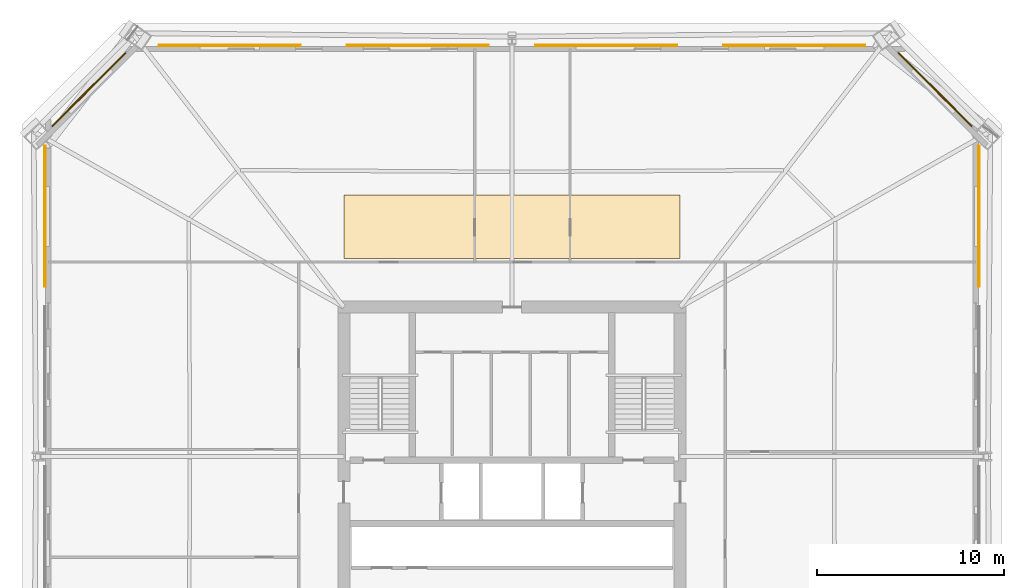
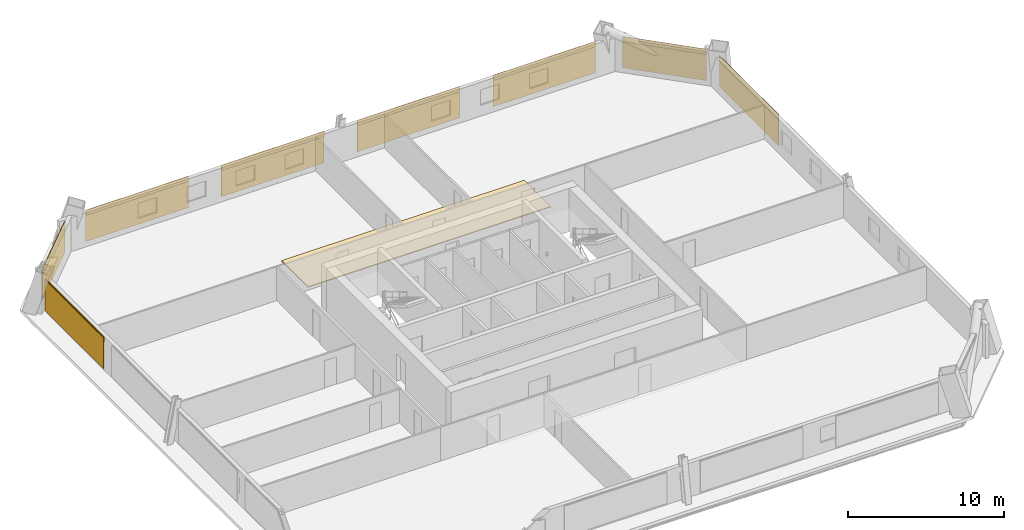
# One storey, part 10 of 10: 9 coverings, 8 shading devices.
"""IFC4 building model written with IfcOpenShell, lengths in metres."""

from ifc_helpers import new_model, si_unit, direction, frame, origin, origin_2d, place, context, subcontext, project, spatial, polyline, rectangle, outline, extrude, material, layer, layer_set, type_object, element, save


model = new_model("IFC4")

# Units and contexts
model_context = context("Model", 3, precision=1e-05, world=origin(), true_north=direction((0.0, 1.0)))
body_context = subcontext(model_context, "Body", "Model", "MODEL_VIEW")
ifc_project = project(units=[si_unit("LENGTHUNIT", "METRE"), si_unit("AREAUNIT", "SQUARE_METRE"), si_unit("VOLUMEUNIT", "CUBIC_METRE"), si_unit("PLANEANGLEUNIT", "RADIAN"), si_unit("MASSUNIT", "GRAM", prefix="KILO")], contexts=[model_context])

# Site, building, storey
site_placement = place(None, origin())
site = spatial("IfcSite", under=ifc_project, at=site_placement, CompositionType="ELEMENT")
building_placement = place(site_placement, origin())
building = spatial("IfcBuilding", under=site, at=building_placement, Name="Caelvoria Tower", CompositionType="ELEMENT")
storey_placement = place(building_placement, frame((0.0, 0.0, 78.39990234375)))
storey = spatial("IfcBuildingStorey", under=building, at=storey_placement, Name="L20", CompositionType="ELEMENT", Elevation=78.39990234375)

# Coverings
ifc_material_1 = material(Name="Perforated Architectural Bronze Cladding Screen", Category="bronze")
ifc_layer_1 = layer(ifc_material_1, 0.0400390625, Name="Perforated Architectural Bronze Cladding Screen")
ifc_layer_set_1 = layer_set([ifc_layer_1], Name="Perforated Bronze Louvre Cladding Band 40 - Perforated Architectural Bronze Cladding Screen")
covering_type_1 = type_object("IfcCoveringType", Name="Perforated Bronze Louvre Cladding Band 40", PredefinedType="CLADDING", material=ifc_layer_set_1)
covering_1_placement = place(storey_placement, frame((70.971923828125, 44.85498046875, 2.2421875), z_axis=(0.0, 0.0, 1.0), x_axis=(0.0, 1.0, 0.0)))
element("IfcCovering", 1, at=covering_1_placement, inside=storey, type_object=covering_type_1, Name="Perforated Bronze Screen Band L20-E2-03", PredefinedType="CLADDING", context=body_context, shape_type="SweptSolid", body=[
    extrude(rectangle(XDim=7.54150390625, YDim=0.0400390625, at=origin_2d()), origin(), (0.0, 0.0, 1.0), 0.39990234375),
])
covering_2_placement = place(storey_placement, frame((68.631591796875, 51.631591796875, 2.2421875), z_axis=(0.0, 0.0, 1.0), x_axis=(-0.707106781187, 0.707106781187, 0.0)))
element("IfcCovering", 2, at=covering_2_placement, inside=storey, type_object=covering_type_1, Name="Perforated Bronze Screen Band L20-E3-00", PredefinedType="CLADDING", context=body_context, shape_type="SweptSolid", body=[
    extrude(rectangle(XDim=5.55859375, YDim=0.0400390625, at=origin_2d()), origin(), (0.0, 0.0, 1.0), 0.39990234375),
])
for number, where, z_axis, x_axis, name in (
    (3, (61.10498046875, 53.971923828125, 2.2421875), (0.0, 0.0, 1.0), (-1.0, 0.0, 0.0), "Perforated Bronze Screen Band L20-E4-00"),
    (4, (51.034912109375, 53.971923828125, 2.2421875), (0.0, 0.0, 1.0), (-1.0, 0.0, 0.0), "Perforated Bronze Screen Band L20-E4-01"),
    (5, (40.965087890625, 53.971923828125, 2.2421875), (0.0, 0.0, 1.0), (-1.0, 0.0, 0.0), "Perforated Bronze Screen Band L20-E4-02"),
    (6, (30.89501953125, 53.971923828125, 2.2421875), (0.0, 0.0, 1.0), (-1.0, 0.0, 0.0), "Perforated Bronze Screen Band L20-E4-03"),
):
    element("IfcCovering", number, at=place(storey_placement, frame(where, z_axis=z_axis, x_axis=x_axis)), inside=storey, type_object=covering_type_1, Name=name, PredefinedType="CLADDING", context=body_context, shape_type="SweptSolid", body=[
        extrude(rectangle(XDim=7.60009765625, YDim=0.0400390625, at=origin_2d()), origin(), (0.0, 0.0, 1.0), 0.39990234375),
    ])
covering_3_placement = place(storey_placement, frame((23.368408203125, 51.631591796875, 2.2421875), z_axis=(0.0, 0.0, 1.0), x_axis=(-0.707106781187, -0.707106781187, 0.0)))
element("IfcCovering", 7, at=covering_3_placement, inside=storey, type_object=covering_type_1, Name="Perforated Bronze Screen Band L20-E5-00", PredefinedType="CLADDING", context=body_context, shape_type="SweptSolid", body=[
    extrude(rectangle(XDim=5.55859375, YDim=0.0400390625, at=origin_2d()), origin(), (0.0, 0.0, 1.0), 0.39990234375),
])
covering_4_placement = place(storey_placement, frame((21.028076171875, 44.85498046875, 2.2421875), z_axis=(0.0, 0.0, 1.0), x_axis=(0.0, -1.0, 0.0)))
element("IfcCovering", 8, at=covering_4_placement, inside=storey, type_object=covering_type_1, Name="Perforated Bronze Screen Band L20-E6-00", PredefinedType="CLADDING", context=body_context, shape_type="SweptSolid", body=[
    extrude(rectangle(XDim=7.54150390625, YDim=0.0400390625, at=origin_2d()), origin(), (0.0, 0.0, 1.0), 0.39990234375),
])

# Shading devices
ifc_material_2 = material(Name="Perforated Architectural Bronze Alloy Panel", Category="bronze")
ifc_layer_2 = layer(ifc_material_2, 0.044921875, Name="Perforated Architectural Bronze Alloy Panel")
ifc_layer_set_2 = layer_set([ifc_layer_2], Name="Perforated Bronze Solar Screen Panel SCREEN - Perforated Architectural Bronze Alloy Panel")
shading_device_type = type_object("IfcShadingDeviceType", Name="Perforated Bronze Solar Screen Panel SCREEN", PredefinedType="USERDEFINED", material=ifc_layer_set_2)
shading_device_1_placement = place(storey_placement, frame((71.014892578125, 44.85498046875, 0.16015625), z_axis=(0.0, 0.0, 1.0), x_axis=(0.0, 1.0, 0.0)))
element("IfcShadingDevice", 9, at=shading_device_1_placement, inside=storey, type_object=shading_device_type, Name="Perforated Bronze Solar Screen L20-E2-03", ObjectType="SCREEN", PredefinedType="USERDEFINED", context=body_context, shape_type="SweptSolid", body=[
    extrude(rectangle(XDim=7.54150390625, YDim=0.044921875, at=origin_2d()), origin(), (0.0, 0.0, 1.0), 2.422119140625),
])
shading_device_2_placement = place(storey_placement, frame((68.662109375, 51.662109375, 0.16015625), z_axis=(0.0, 0.0, 1.0), x_axis=(-0.707106781187, 0.707106781187, 0.0)))
element("IfcShadingDevice", 10, at=shading_device_2_placement, inside=storey, type_object=shading_device_type, Name="Perforated Bronze Solar Screen L20-E3-00", ObjectType="SCREEN", PredefinedType="USERDEFINED", context=body_context, shape_type="SweptSolid", body=[
    extrude(rectangle(XDim=5.55859375, YDim=0.044921875, at=origin_2d()), origin(), (0.0, 0.0, 1.0), 2.422119140625),
])
for number, where, z_axis, x_axis, name in (
    (11, (61.10498046875, 54.014892578125, 0.16015625), (0.0, 0.0, 1.0), (-1.0, 0.0, 0.0), "Perforated Bronze Solar Screen L20-E4-00"),
    (12, (51.034912109375, 54.014892578125, 0.16015625), (0.0, 0.0, 1.0), (-1.0, 0.0, 0.0), "Perforated Bronze Solar Screen L20-E4-01"),
    (13, (40.965087890625, 54.014892578125, 0.16015625), (0.0, 0.0, 1.0), (-1.0, 0.0, 0.0), "Perforated Bronze Solar Screen L20-E4-02"),
    (14, (30.89501953125, 54.014892578125, 0.16015625), (0.0, 0.0, 1.0), (-1.0, 0.0, 0.0), "Perforated Bronze Solar Screen L20-E4-03"),
):
    element("IfcShadingDevice", number, at=place(storey_placement, frame(where, z_axis=z_axis, x_axis=x_axis)), inside=storey, type_object=shading_device_type, Name=name, ObjectType="SCREEN", PredefinedType="USERDEFINED", context=body_context, shape_type="SweptSolid", body=[
        extrude(rectangle(XDim=7.60009765625, YDim=0.044921875, at=origin_2d()), origin(), (0.0, 0.0, 1.0), 2.422119140625),
    ])
shading_device_3_placement = place(storey_placement, frame((23.337890625, 51.662109375, 0.16015625), z_axis=(0.0, 0.0, 1.0), x_axis=(-0.707106781187, -0.707106781187, 0.0)))
element("IfcShadingDevice", 15, at=shading_device_3_placement, inside=storey, type_object=shading_device_type, Name="Perforated Bronze Solar Screen L20-E5-00", ObjectType="SCREEN", PredefinedType="USERDEFINED", context=body_context, shape_type="SweptSolid", body=[
    extrude(rectangle(XDim=5.55859375, YDim=0.044921875, at=origin_2d()), origin(), (0.0, 0.0, 1.0), 2.422119140625),
])
shading_device_4_placement = place(storey_placement, frame((20.985107421875, 44.85498046875, 0.16015625), z_axis=(0.0, 0.0, 1.0), x_axis=(0.0, -1.0, 0.0)))
element("IfcShadingDevice", 16, at=shading_device_4_placement, inside=storey, type_object=shading_device_type, Name="Perforated Bronze Solar Screen L20-E6-00", ObjectType="SCREEN", PredefinedType="USERDEFINED", context=body_context, shape_type="SweptSolid", body=[
    extrude(rectangle(XDim=7.54150390625, YDim=0.044921875, at=origin_2d()), origin(), (0.0, 0.0, 1.0), 2.422119140625),
])

# Covering
ifc_material_3 = material(Name="Calcium-Sulphate Raised Floor Tile", Category="gypsum")
ifc_layer_3 = layer(ifc_material_3, 0.06005859375, Name="Calcium-Sulphate Raised Floor Tile")
ifc_layer_set_3 = layer_set([ifc_layer_3], Name="Raised Access Office Floor System 120 - Calcium-Sulphate Raised Floor Tile")
covering_type_2 = type_object("IfcCoveringType", Name="Raised Access Office Floor System 120", PredefinedType="FLOORING", material=ifc_layer_set_3)
covering_5_placement = place(storey_placement, origin())
element("IfcCovering", 17, at=covering_5_placement, inside=storey, type_object=covering_type_2, Name="Raised Access Flooring L20", PredefinedType="FLOORING", context=body_context, shape_type="SweptSolid", body=[
    extrude(outline(polyline([(37.0, 42.60009765625), (55.0, 42.60009765625), (55.0, 46.0), (37.0, 46.0), (37.0, 42.60009765625)])), origin(), (0.0, 0.0, 1.0), 0.06005859375),
])

save(model, "model.ifc")
